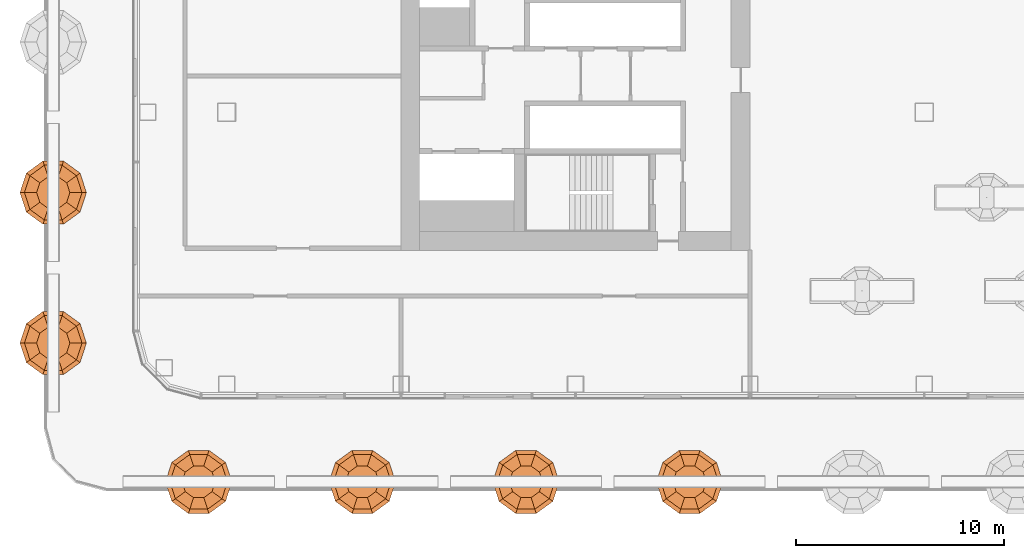
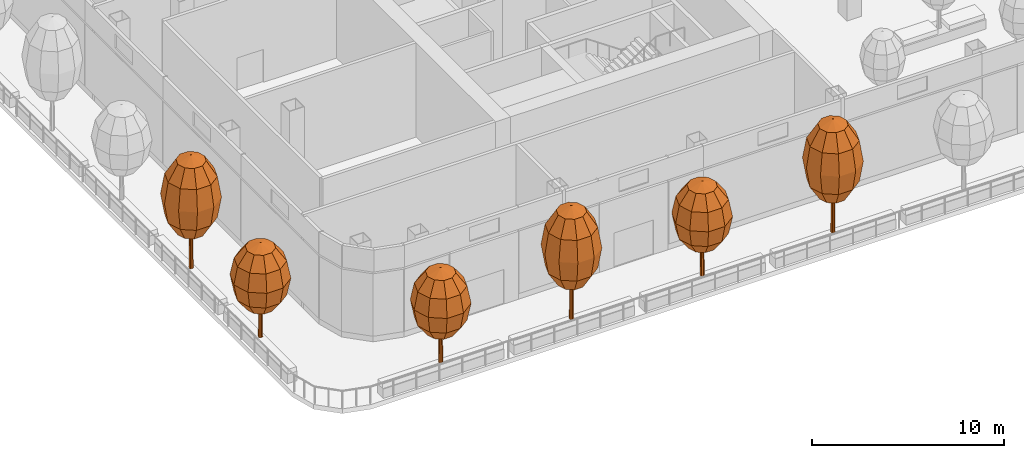
# One storey, part 38 of 44: 6 geographic elements.
"""IFC4 building model written with IfcOpenShell, lengths in metres."""

from ifc_helpers import new_model, si_unit, direction, frame, origin, place, context, subcontext, project, spatial, triangles, material, type_object, element, save


model = new_model("IFC4")

# Units and contexts
model_context = context("Model", 3, precision=1e-05, world=origin(), true_north=direction((0.0, 1.0)))
body_context = subcontext(model_context, "Body", "Model", "MODEL_VIEW")
ifc_project = project(units=[si_unit("LENGTHUNIT", "METRE"), si_unit("AREAUNIT", "SQUARE_METRE"), si_unit("VOLUMEUNIT", "CUBIC_METRE"), si_unit("PLANEANGLEUNIT", "RADIAN"), si_unit("MASSUNIT", "GRAM", prefix="KILO")], contexts=[model_context])

# Site, building, storey
site_placement = place(None, origin())
site = spatial("IfcSite", under=ifc_project, at=site_placement, CompositionType="ELEMENT")
building_placement = place(site_placement, origin())
building = spatial("IfcBuilding", under=site, at=building_placement, Name="Hakoniwa Tower and Hamabe Station Hall", CompositionType="ELEMENT")
storey_placement = place(building_placement, frame((0.0, 0.0, 69.0)))
storey = spatial("IfcBuildingStorey", under=building, at=storey_placement, Name="L19", CompositionType="ELEMENT", Elevation=69.0)

# Geographic elements
ifc_material_1 = material(Name="Tree foliage")
geographic_element_type_1 = type_object("IfcGeographicElementType", Name="Japanese maple 7.2 m", PredefinedType="USERDEFINED", material=ifc_material_1)
geographic_element_1_placement = place(storey_placement, frame((-50.35107421875, -5.61962890625, 0.89990234375)))
element("IfcGeographicElement", 1, at=geographic_element_1_placement, inside=storey, type_object=geographic_element_type_1, Name="Japanese maple 7-2 m", ObjectType="TREE", PredefinedType="USERDEFINED", context=body_context, shape_type="Tessellation", body=[
    triangles([(0.125, 0.0, 0.0), (0.08837890625, 0.08837890625, 0.0), (0.0, 0.125, 0.0), (-0.08837890625, 0.08837890625, 0.0), (-0.125, 0.0, 0.0), (-0.08837890625, -0.08837890625, 0.0), (0.0, -0.125, 0.0), (0.08837890625, -0.08837890625, 0.0), (0.074951171875, 0.0, 4.348876953125), (0.052978515625, 0.052978515625, 4.348876953125), (0.0, 0.074951171875, 4.348876953125), (-0.052978515625, 0.052978515625, 4.348876953125), (-0.074951171875, 0.0, 4.348876953125), (-0.052978515625, -0.052978515625, 4.348876953125), (0.0, -0.074951171875, 4.348876953125), (0.052978515625, -0.052978515625, 4.348876953125), (0.0, 0.0, 0.0), (0.0, 0.0, 4.348876953125)], [[1, 2, 10], [1, 10, 9], [17, 2, 1], [18, 9, 10], [2, 3, 11], [2, 11, 10], [17, 3, 2], [18, 10, 11], [3, 4, 12], [3, 12, 11], [17, 4, 3], [18, 11, 12], [4, 5, 13], [4, 13, 12], [17, 5, 4], [18, 12, 13], [5, 6, 14], [5, 14, 13], [17, 6, 5], [18, 13, 14], [6, 7, 15], [6, 15, 14], [17, 7, 6], [18, 14, 15], [7, 8, 16], [7, 16, 15], [17, 8, 7], [18, 15, 16], [8, 1, 9], [8, 9, 16], [17, 1, 8], [18, 16, 9]], closed=True),
    triangles([(0.0, 0.0, 2.015869140625), (0.800048828125, 0.0, 2.36328125), (0.647216796875, 0.47021484375, 2.36328125), (0.247314453125, 0.7607421875, 2.36328125), (-0.247314453125, 0.7607421875, 2.36328125), (-0.647216796875, 0.47021484375, 2.36328125), (-0.800048828125, 0.0, 2.36328125), (-0.647216796875, -0.47021484375, 2.36328125), (-0.247314453125, -0.7607421875, 2.36328125), (0.247314453125, -0.7607421875, 2.36328125), (0.647216796875, -0.47021484375, 2.36328125), (1.385498046875, 0.0, 3.31201171875), (1.12109375, 0.814453125, 3.31201171875), (0.42822265625, 1.31787109375, 3.31201171875), (-0.42822265625, 1.31787109375, 3.31201171875), (-1.12109375, 0.814453125, 3.31201171875), (-1.385498046875, 0.0, 3.31201171875), (-1.12109375, -0.814453125, 3.31201171875), (-0.42822265625, -1.31787109375, 3.31201171875), (0.42822265625, -1.31787109375, 3.31201171875), (1.12109375, -0.814453125, 3.31201171875), (1.60009765625, 0.0, 4.60791015625), (1.29443359375, 0.9404296875, 4.60791015625), (0.494384765625, 1.521728515625, 4.60791015625), (-0.494384765625, 1.521728515625, 4.60791015625), (-1.29443359375, 0.9404296875, 4.60791015625), (-1.60009765625, 0.0, 4.60791015625), (-1.29443359375, -0.9404296875, 4.60791015625), (-0.494384765625, -1.521728515625, 4.60791015625), (0.494384765625, -1.521728515625, 4.60791015625), (1.29443359375, -0.9404296875, 4.60791015625), (1.385498046875, 0.0, 5.904052734375), (1.12109375, 0.814453125, 5.904052734375), (0.42822265625, 1.31787109375, 5.904052734375), (-0.42822265625, 1.31787109375, 5.904052734375), (-1.12109375, 0.814453125, 5.904052734375), (-1.385498046875, 0.0, 5.904052734375), (-1.12109375, -0.814453125, 5.904052734375), (-0.42822265625, -1.31787109375, 5.904052734375), (0.42822265625, -1.31787109375, 5.904052734375), (1.12109375, -0.814453125, 5.904052734375), (0.800048828125, 0.0, 6.852783203125), (0.647216796875, 0.47021484375, 6.852783203125), (0.247314453125, 0.7607421875, 6.852783203125), (-0.247314453125, 0.7607421875, 6.852783203125), (-0.647216796875, 0.47021484375, 6.852783203125), (-0.800048828125, 0.0, 6.852783203125), (-0.647216796875, -0.47021484375, 6.852783203125), (-0.247314453125, -0.7607421875, 6.852783203125), (0.247314453125, -0.7607421875, 6.852783203125), (0.647216796875, -0.47021484375, 6.852783203125), (0.0, 0.0, 7.199951171875)], [[1, 3, 2], [1, 4, 3], [1, 5, 4], [1, 6, 5], [1, 7, 6], [1, 8, 7], [1, 9, 8], [1, 10, 9], [1, 11, 10], [1, 2, 11], [2, 3, 13], [2, 13, 12], [3, 4, 14], [3, 14, 13], [4, 5, 15], [4, 15, 14], [5, 6, 16], [5, 16, 15], [6, 7, 17], [6, 17, 16], [7, 8, 18], [7, 18, 17], [8, 9, 19], [8, 19, 18], [9, 10, 20], [9, 20, 19], [10, 11, 21], [10, 21, 20], [11, 2, 12], [11, 12, 21], [12, 13, 23], [12, 23, 22], [13, 14, 24], [13, 24, 23], [14, 15, 25], [14, 25, 24], [15, 16, 26], [15, 26, 25], [16, 17, 27], [16, 27, 26], [17, 18, 28], [17, 28, 27], [18, 19, 29], [18, 29, 28], [19, 20, 30], [19, 30, 29], [20, 21, 31], [20, 31, 30], [21, 12, 22], [21, 22, 31], [22, 23, 33], [22, 33, 32], [23, 24, 34], [23, 34, 33], [24, 25, 35], [24, 35, 34], [25, 26, 36], [25, 36, 35], [26, 27, 37], [26, 37, 36], [27, 28, 38], [27, 38, 37], [28, 29, 39], [28, 39, 38], [29, 30, 40], [29, 40, 39], [30, 31, 41], [30, 41, 40], [31, 22, 32], [31, 32, 41], [32, 33, 43], [32, 43, 42], [33, 34, 44], [33, 44, 43], [34, 35, 45], [34, 45, 44], [35, 36, 46], [35, 46, 45], [36, 37, 47], [36, 47, 46], [37, 38, 48], [37, 48, 47], [38, 39, 49], [38, 49, 48], [39, 40, 50], [39, 50, 49], [40, 41, 51], [40, 51, 50], [41, 32, 42], [41, 42, 51], [52, 42, 43], [52, 43, 44], [52, 44, 45], [52, 45, 46], [52, 46, 47], [52, 47, 48], [52, 48, 49], [52, 49, 50], [52, 50, 51], [52, 51, 42]], closed=True),
])
geographic_element_2_placement = place(storey_placement, frame((-35.465087890625, -19.551025390625, 0.89990234375)))
element("IfcGeographicElement", 2, at=geographic_element_2_placement, inside=storey, type_object=geographic_element_type_1, Name="Japanese maple 7-2 m", ObjectType="TREE", PredefinedType="USERDEFINED", context=body_context, shape_type="Tessellation", body=[
    triangles([(0.125, 0.0, 0.0), (0.08837890625, 0.08837890625, 0.0), (0.0, 0.125, 0.0), (-0.08837890625, 0.08837890625, 0.0), (-0.125, 0.0, 0.0), (-0.08837890625, -0.08837890625, 0.0), (0.0, -0.125, 0.0), (0.08837890625, -0.08837890625, 0.0), (0.074951171875, 0.0, 4.348876953125), (0.052978515625, 0.052978515625, 4.348876953125), (0.0, 0.074951171875, 4.348876953125), (-0.052978515625, 0.052978515625, 4.348876953125), (-0.074951171875, 0.0, 4.348876953125), (-0.052978515625, -0.052978515625, 4.348876953125), (0.0, -0.074951171875, 4.348876953125), (0.052978515625, -0.052978515625, 4.348876953125), (0.0, 0.0, 0.0), (0.0, 0.0, 4.348876953125)], [[1, 2, 10], [1, 10, 9], [17, 2, 1], [18, 9, 10], [2, 3, 11], [2, 11, 10], [17, 3, 2], [18, 10, 11], [3, 4, 12], [3, 12, 11], [17, 4, 3], [18, 11, 12], [4, 5, 13], [4, 13, 12], [17, 5, 4], [18, 12, 13], [5, 6, 14], [5, 14, 13], [17, 6, 5], [18, 13, 14], [6, 7, 15], [6, 15, 14], [17, 7, 6], [18, 14, 15], [7, 8, 16], [7, 16, 15], [17, 8, 7], [18, 15, 16], [8, 1, 9], [8, 9, 16], [17, 1, 8], [18, 16, 9]], closed=True),
    triangles([(0.0, 0.0, 2.015869140625), (0.800048828125, 0.0, 2.36328125), (0.647216796875, 0.47021484375, 2.36328125), (0.247314453125, 0.7607421875, 2.36328125), (-0.247314453125, 0.7607421875, 2.36328125), (-0.647216796875, 0.47021484375, 2.36328125), (-0.800048828125, 0.0, 2.36328125), (-0.647216796875, -0.47021484375, 2.36328125), (-0.247314453125, -0.7607421875, 2.36328125), (0.247314453125, -0.7607421875, 2.36328125), (0.647216796875, -0.47021484375, 2.36328125), (1.385498046875, 0.0, 3.31201171875), (1.12109375, 0.814453125, 3.31201171875), (0.42822265625, 1.31787109375, 3.31201171875), (-0.42822265625, 1.31787109375, 3.31201171875), (-1.12109375, 0.814453125, 3.31201171875), (-1.385498046875, 0.0, 3.31201171875), (-1.12109375, -0.814453125, 3.31201171875), (-0.42822265625, -1.31787109375, 3.31201171875), (0.42822265625, -1.31787109375, 3.31201171875), (1.12109375, -0.814453125, 3.31201171875), (1.60009765625, 0.0, 4.60791015625), (1.29443359375, 0.9404296875, 4.60791015625), (0.494384765625, 1.521728515625, 4.60791015625), (-0.494384765625, 1.521728515625, 4.60791015625), (-1.29443359375, 0.9404296875, 4.60791015625), (-1.60009765625, 0.0, 4.60791015625), (-1.29443359375, -0.9404296875, 4.60791015625), (-0.494384765625, -1.521728515625, 4.60791015625), (0.494384765625, -1.521728515625, 4.60791015625), (1.29443359375, -0.9404296875, 4.60791015625), (1.385498046875, 0.0, 5.904052734375), (1.12109375, 0.814453125, 5.904052734375), (0.42822265625, 1.31787109375, 5.904052734375), (-0.42822265625, 1.31787109375, 5.904052734375), (-1.12109375, 0.814453125, 5.904052734375), (-1.385498046875, 0.0, 5.904052734375), (-1.12109375, -0.814453125, 5.904052734375), (-0.42822265625, -1.31787109375, 5.904052734375), (0.42822265625, -1.31787109375, 5.904052734375), (1.12109375, -0.814453125, 5.904052734375), (0.800048828125, 0.0, 6.852783203125), (0.647216796875, 0.47021484375, 6.852783203125), (0.247314453125, 0.7607421875, 6.852783203125), (-0.247314453125, 0.7607421875, 6.852783203125), (-0.647216796875, 0.47021484375, 6.852783203125), (-0.800048828125, 0.0, 6.852783203125), (-0.647216796875, -0.47021484375, 6.852783203125), (-0.247314453125, -0.7607421875, 6.852783203125), (0.247314453125, -0.7607421875, 6.852783203125), (0.647216796875, -0.47021484375, 6.852783203125), (0.0, 0.0, 7.199951171875)], [[1, 3, 2], [1, 4, 3], [1, 5, 4], [1, 6, 5], [1, 7, 6], [1, 8, 7], [1, 9, 8], [1, 10, 9], [1, 11, 10], [1, 2, 11], [2, 3, 13], [2, 13, 12], [3, 4, 14], [3, 14, 13], [4, 5, 15], [4, 15, 14], [5, 6, 16], [5, 16, 15], [6, 7, 17], [6, 17, 16], [7, 8, 18], [7, 18, 17], [8, 9, 19], [8, 19, 18], [9, 10, 20], [9, 20, 19], [10, 11, 21], [10, 21, 20], [11, 2, 12], [11, 12, 21], [12, 13, 23], [12, 23, 22], [13, 14, 24], [13, 24, 23], [14, 15, 25], [14, 25, 24], [15, 16, 26], [15, 26, 25], [16, 17, 27], [16, 27, 26], [17, 18, 28], [17, 28, 27], [18, 19, 29], [18, 29, 28], [19, 20, 30], [19, 30, 29], [20, 21, 31], [20, 31, 30], [21, 12, 22], [21, 22, 31], [22, 23, 33], [22, 33, 32], [23, 24, 34], [23, 34, 33], [24, 25, 35], [24, 35, 34], [25, 26, 36], [25, 36, 35], [26, 27, 37], [26, 37, 36], [27, 28, 38], [27, 38, 37], [28, 29, 39], [28, 39, 38], [29, 30, 40], [29, 40, 39], [30, 31, 41], [30, 41, 40], [31, 22, 32], [31, 32, 41], [32, 33, 43], [32, 43, 42], [33, 34, 44], [33, 44, 43], [34, 35, 45], [34, 45, 44], [35, 36, 46], [35, 46, 45], [36, 37, 47], [36, 47, 46], [37, 38, 48], [37, 48, 47], [38, 39, 49], [38, 49, 48], [39, 40, 50], [39, 50, 49], [40, 41, 51], [40, 51, 50], [41, 32, 42], [41, 42, 51], [52, 42, 43], [52, 43, 44], [52, 44, 45], [52, 45, 46], [52, 46, 47], [52, 47, 48], [52, 48, 49], [52, 49, 50], [52, 50, 51], [52, 51, 42]], closed=True),
])
geographic_element_3_placement = place(storey_placement, frame((-19.702880859375, -19.551025390625, 0.89990234375)))
element("IfcGeographicElement", 3, at=geographic_element_3_placement, inside=storey, type_object=geographic_element_type_1, Name="Japanese maple 7-2 m", ObjectType="TREE", PredefinedType="USERDEFINED", context=body_context, shape_type="Tessellation", body=[
    triangles([(0.125, 0.0, 0.0), (0.08837890625, 0.08837890625, 0.0), (0.0, 0.125, 0.0), (-0.08837890625, 0.08837890625, 0.0), (-0.125, 0.0, 0.0), (-0.08837890625, -0.08837890625, 0.0), (0.0, -0.125, 0.0), (0.08837890625, -0.08837890625, 0.0), (0.074951171875, 0.0, 4.348876953125), (0.052978515625, 0.052978515625, 4.348876953125), (0.0, 0.074951171875, 4.348876953125), (-0.052978515625, 0.052978515625, 4.348876953125), (-0.074951171875, 0.0, 4.348876953125), (-0.052978515625, -0.052978515625, 4.348876953125), (0.0, -0.074951171875, 4.348876953125), (0.052978515625, -0.052978515625, 4.348876953125), (0.0, 0.0, 0.0), (0.0, 0.0, 4.348876953125)], [[1, 2, 10], [1, 10, 9], [17, 2, 1], [18, 9, 10], [2, 3, 11], [2, 11, 10], [17, 3, 2], [18, 10, 11], [3, 4, 12], [3, 12, 11], [17, 4, 3], [18, 11, 12], [4, 5, 13], [4, 13, 12], [17, 5, 4], [18, 12, 13], [5, 6, 14], [5, 14, 13], [17, 6, 5], [18, 13, 14], [6, 7, 15], [6, 15, 14], [17, 7, 6], [18, 14, 15], [7, 8, 16], [7, 16, 15], [17, 8, 7], [18, 15, 16], [8, 1, 9], [8, 9, 16], [17, 1, 8], [18, 16, 9]], closed=True),
    triangles([(0.0, 0.0, 2.015869140625), (0.800048828125, 0.0, 2.36328125), (0.647216796875, 0.47021484375, 2.36328125), (0.247314453125, 0.7607421875, 2.36328125), (-0.247314453125, 0.7607421875, 2.36328125), (-0.647216796875, 0.47021484375, 2.36328125), (-0.800048828125, 0.0, 2.36328125), (-0.647216796875, -0.47021484375, 2.36328125), (-0.247314453125, -0.7607421875, 2.36328125), (0.247314453125, -0.7607421875, 2.36328125), (0.647216796875, -0.47021484375, 2.36328125), (1.385498046875, 0.0, 3.31201171875), (1.12109375, 0.814453125, 3.31201171875), (0.42822265625, 1.31787109375, 3.31201171875), (-0.42822265625, 1.31787109375, 3.31201171875), (-1.12109375, 0.814453125, 3.31201171875), (-1.385498046875, 0.0, 3.31201171875), (-1.12109375, -0.814453125, 3.31201171875), (-0.42822265625, -1.31787109375, 3.31201171875), (0.42822265625, -1.31787109375, 3.31201171875), (1.12109375, -0.814453125, 3.31201171875), (1.60009765625, 0.0, 4.60791015625), (1.29443359375, 0.9404296875, 4.60791015625), (0.494384765625, 1.521728515625, 4.60791015625), (-0.494384765625, 1.521728515625, 4.60791015625), (-1.29443359375, 0.9404296875, 4.60791015625), (-1.60009765625, 0.0, 4.60791015625), (-1.29443359375, -0.9404296875, 4.60791015625), (-0.494384765625, -1.521728515625, 4.60791015625), (0.494384765625, -1.521728515625, 4.60791015625), (1.29443359375, -0.9404296875, 4.60791015625), (1.385498046875, 0.0, 5.904052734375), (1.12109375, 0.814453125, 5.904052734375), (0.42822265625, 1.31787109375, 5.904052734375), (-0.42822265625, 1.31787109375, 5.904052734375), (-1.12109375, 0.814453125, 5.904052734375), (-1.385498046875, 0.0, 5.904052734375), (-1.12109375, -0.814453125, 5.904052734375), (-0.42822265625, -1.31787109375, 5.904052734375), (0.42822265625, -1.31787109375, 5.904052734375), (1.12109375, -0.814453125, 5.904052734375), (0.800048828125, 0.0, 6.852783203125), (0.647216796875, 0.47021484375, 6.852783203125), (0.247314453125, 0.7607421875, 6.852783203125), (-0.247314453125, 0.7607421875, 6.852783203125), (-0.647216796875, 0.47021484375, 6.852783203125), (-0.800048828125, 0.0, 6.852783203125), (-0.647216796875, -0.47021484375, 6.852783203125), (-0.247314453125, -0.7607421875, 6.852783203125), (0.247314453125, -0.7607421875, 6.852783203125), (0.647216796875, -0.47021484375, 6.852783203125), (0.0, 0.0, 7.199951171875)], [[1, 3, 2], [1, 4, 3], [1, 5, 4], [1, 6, 5], [1, 7, 6], [1, 8, 7], [1, 9, 8], [1, 10, 9], [1, 11, 10], [1, 2, 11], [2, 3, 13], [2, 13, 12], [3, 4, 14], [3, 14, 13], [4, 5, 15], [4, 15, 14], [5, 6, 16], [5, 16, 15], [6, 7, 17], [6, 17, 16], [7, 8, 18], [7, 18, 17], [8, 9, 19], [8, 19, 18], [9, 10, 20], [9, 20, 19], [10, 11, 21], [10, 21, 20], [11, 2, 12], [11, 12, 21], [12, 13, 23], [12, 23, 22], [13, 14, 24], [13, 24, 23], [14, 15, 25], [14, 25, 24], [15, 16, 26], [15, 26, 25], [16, 17, 27], [16, 27, 26], [17, 18, 28], [17, 28, 27], [18, 19, 29], [18, 29, 28], [19, 20, 30], [19, 30, 29], [20, 21, 31], [20, 31, 30], [21, 12, 22], [21, 22, 31], [22, 23, 33], [22, 33, 32], [23, 24, 34], [23, 34, 33], [24, 25, 35], [24, 35, 34], [25, 26, 36], [25, 36, 35], [26, 27, 37], [26, 37, 36], [27, 28, 38], [27, 38, 37], [28, 29, 39], [28, 39, 38], [29, 30, 40], [29, 40, 39], [30, 31, 41], [30, 41, 40], [31, 22, 32], [31, 32, 41], [32, 33, 43], [32, 43, 42], [33, 34, 44], [33, 44, 43], [34, 35, 45], [34, 45, 44], [35, 36, 46], [35, 46, 45], [36, 37, 47], [36, 47, 46], [37, 38, 48], [37, 48, 47], [38, 39, 49], [38, 49, 48], [39, 40, 50], [39, 50, 49], [40, 41, 51], [40, 51, 50], [41, 32, 42], [41, 42, 51], [52, 42, 43], [52, 43, 44], [52, 44, 45], [52, 45, 46], [52, 46, 47], [52, 47, 48], [52, 48, 49], [52, 49, 50], [52, 50, 51], [52, 51, 42]], closed=True),
])
ifc_material_2 = material(Name="Tree foliage")
geographic_element_type_2 = type_object("IfcGeographicElementType", Name="Osmanthus 6.0 m", PredefinedType="USERDEFINED", material=ifc_material_2)
geographic_element_4_placement = place(storey_placement, frame((-50.35107421875, -12.864501953125, 0.89990234375)))
element("IfcGeographicElement", 4, at=geographic_element_4_placement, inside=storey, type_object=geographic_element_type_2, Name="Osmanthus 6-0 m", ObjectType="TREE", PredefinedType="USERDEFINED", context=body_context, shape_type="Tessellation", body=[
    triangles([(0.125, 0.0, 0.0), (0.08837890625, 0.08837890625, 0.0), (0.0, 0.125, 0.0), (-0.08837890625, 0.08837890625, 0.0), (-0.125, 0.0, 0.0), (-0.08837890625, -0.08837890625, 0.0), (0.0, -0.125, 0.0), (0.08837890625, -0.08837890625, 0.0), (0.074951171875, 0.0, 3.6240234375), (0.052978515625, 0.052978515625, 3.6240234375), (0.0, 0.074951171875, 3.6240234375), (-0.052978515625, 0.052978515625, 3.6240234375), (-0.074951171875, 0.0, 3.6240234375), (-0.052978515625, -0.052978515625, 3.6240234375), (0.0, -0.074951171875, 3.6240234375), (0.052978515625, -0.052978515625, 3.6240234375), (0.0, 0.0, 0.0), (0.0, 0.0, 3.6240234375)], [[1, 2, 10], [1, 10, 9], [17, 2, 1], [18, 9, 10], [2, 3, 11], [2, 11, 10], [17, 3, 2], [18, 10, 11], [3, 4, 12], [3, 12, 11], [17, 4, 3], [18, 11, 12], [4, 5, 13], [4, 13, 12], [17, 5, 4], [18, 12, 13], [5, 6, 14], [5, 14, 13], [17, 6, 5], [18, 13, 14], [6, 7, 15], [6, 15, 14], [17, 7, 6], [18, 14, 15], [7, 8, 16], [7, 16, 15], [17, 8, 7], [18, 15, 16], [8, 1, 9], [8, 9, 16], [17, 1, 8], [18, 16, 9]], closed=True),
    triangles([(0.0, 0.0, 1.679931640625), (0.800048828125, 0.0, 1.969482421875), (0.647216796875, 0.47021484375, 1.969482421875), (0.247314453125, 0.7607421875, 1.969482421875), (-0.247314453125, 0.7607421875, 1.969482421875), (-0.647216796875, 0.47021484375, 1.969482421875), (-0.800048828125, 0.0, 1.969482421875), (-0.647216796875, -0.47021484375, 1.969482421875), (-0.247314453125, -0.7607421875, 1.969482421875), (0.247314453125, -0.7607421875, 1.969482421875), (0.647216796875, -0.47021484375, 1.969482421875), (1.385498046875, 0.0, 2.760009765625), (1.12109375, 0.814453125, 2.760009765625), (0.42822265625, 1.31787109375, 2.760009765625), (-0.42822265625, 1.31787109375, 2.760009765625), (-1.12109375, 0.814453125, 2.760009765625), (-1.385498046875, 0.0, 2.760009765625), (-1.12109375, -0.814453125, 2.760009765625), (-0.42822265625, -1.31787109375, 2.760009765625), (0.42822265625, -1.31787109375, 2.760009765625), (1.12109375, -0.814453125, 2.760009765625), (1.60009765625, 0.0, 3.840087890625), (1.29443359375, 0.9404296875, 3.840087890625), (0.494384765625, 1.521728515625, 3.840087890625), (-0.494384765625, 1.521728515625, 3.840087890625), (-1.29443359375, 0.9404296875, 3.840087890625), (-1.60009765625, 0.0, 3.840087890625), (-1.29443359375, -0.9404296875, 3.840087890625), (-0.494384765625, -1.521728515625, 3.840087890625), (0.494384765625, -1.521728515625, 3.840087890625), (1.29443359375, -0.9404296875, 3.840087890625), (1.385498046875, 0.0, 4.919921875), (1.12109375, 0.814453125, 4.919921875), (0.42822265625, 1.31787109375, 4.919921875), (-0.42822265625, 1.31787109375, 4.919921875), (-1.12109375, 0.814453125, 4.919921875), (-1.385498046875, 0.0, 4.919921875), (-1.12109375, -0.814453125, 4.919921875), (-0.42822265625, -1.31787109375, 4.919921875), (0.42822265625, -1.31787109375, 4.919921875), (1.12109375, -0.814453125, 4.919921875), (0.800048828125, 0.0, 5.710693359375), (0.647216796875, 0.47021484375, 5.710693359375), (0.247314453125, 0.7607421875, 5.710693359375), (-0.247314453125, 0.7607421875, 5.710693359375), (-0.647216796875, 0.47021484375, 5.710693359375), (-0.800048828125, 0.0, 5.710693359375), (-0.647216796875, -0.47021484375, 5.710693359375), (-0.247314453125, -0.7607421875, 5.710693359375), (0.247314453125, -0.7607421875, 5.710693359375), (0.647216796875, -0.47021484375, 5.710693359375), (0.0, 0.0, 6.0)], [[1, 3, 2], [1, 4, 3], [1, 5, 4], [1, 6, 5], [1, 7, 6], [1, 8, 7], [1, 9, 8], [1, 10, 9], [1, 11, 10], [1, 2, 11], [2, 3, 13], [2, 13, 12], [3, 4, 14], [3, 14, 13], [4, 5, 15], [4, 15, 14], [5, 6, 16], [5, 16, 15], [6, 7, 17], [6, 17, 16], [7, 8, 18], [7, 18, 17], [8, 9, 19], [8, 19, 18], [9, 10, 20], [9, 20, 19], [10, 11, 21], [10, 21, 20], [11, 2, 12], [11, 12, 21], [12, 13, 23], [12, 23, 22], [13, 14, 24], [13, 24, 23], [14, 15, 25], [14, 25, 24], [15, 16, 26], [15, 26, 25], [16, 17, 27], [16, 27, 26], [17, 18, 28], [17, 28, 27], [18, 19, 29], [18, 29, 28], [19, 20, 30], [19, 30, 29], [20, 21, 31], [20, 31, 30], [21, 12, 22], [21, 22, 31], [22, 23, 33], [22, 33, 32], [23, 24, 34], [23, 34, 33], [24, 25, 35], [24, 35, 34], [25, 26, 36], [25, 36, 35], [26, 27, 37], [26, 37, 36], [27, 28, 38], [27, 38, 37], [28, 29, 39], [28, 39, 38], [29, 30, 40], [29, 40, 39], [30, 31, 41], [30, 41, 40], [31, 22, 32], [31, 32, 41], [32, 33, 43], [32, 43, 42], [33, 34, 44], [33, 44, 43], [34, 35, 45], [34, 45, 44], [35, 36, 46], [35, 46, 45], [36, 37, 47], [36, 47, 46], [37, 38, 48], [37, 48, 47], [38, 39, 49], [38, 49, 48], [39, 40, 50], [39, 50, 49], [40, 41, 51], [40, 51, 50], [41, 32, 42], [41, 42, 51], [52, 42, 43], [52, 43, 44], [52, 44, 45], [52, 45, 46], [52, 46, 47], [52, 47, 48], [52, 48, 49], [52, 49, 50], [52, 50, 51], [52, 51, 42]], closed=True),
])
geographic_element_5_placement = place(storey_placement, frame((-43.34619140625, -19.551025390625, 0.89990234375)))
element("IfcGeographicElement", 5, at=geographic_element_5_placement, inside=storey, type_object=geographic_element_type_2, Name="Osmanthus 6-0 m", ObjectType="TREE", PredefinedType="USERDEFINED", context=body_context, shape_type="Tessellation", body=[
    triangles([(0.125, 0.0, 0.0), (0.08837890625, 0.08837890625, 0.0), (0.0, 0.125, 0.0), (-0.08837890625, 0.08837890625, 0.0), (-0.125, 0.0, 0.0), (-0.08837890625, -0.08837890625, 0.0), (0.0, -0.125, 0.0), (0.08837890625, -0.08837890625, 0.0), (0.074951171875, 0.0, 3.6240234375), (0.052978515625, 0.052978515625, 3.6240234375), (0.0, 0.074951171875, 3.6240234375), (-0.052978515625, 0.052978515625, 3.6240234375), (-0.074951171875, 0.0, 3.6240234375), (-0.052978515625, -0.052978515625, 3.6240234375), (0.0, -0.074951171875, 3.6240234375), (0.052978515625, -0.052978515625, 3.6240234375), (0.0, 0.0, 0.0), (0.0, 0.0, 3.6240234375)], [[1, 2, 10], [1, 10, 9], [17, 2, 1], [18, 9, 10], [2, 3, 11], [2, 11, 10], [17, 3, 2], [18, 10, 11], [3, 4, 12], [3, 12, 11], [17, 4, 3], [18, 11, 12], [4, 5, 13], [4, 13, 12], [17, 5, 4], [18, 12, 13], [5, 6, 14], [5, 14, 13], [17, 6, 5], [18, 13, 14], [6, 7, 15], [6, 15, 14], [17, 7, 6], [18, 14, 15], [7, 8, 16], [7, 16, 15], [17, 8, 7], [18, 15, 16], [8, 1, 9], [8, 9, 16], [17, 1, 8], [18, 16, 9]], closed=True),
    triangles([(0.0, 0.0, 1.679931640625), (0.800048828125, 0.0, 1.969482421875), (0.647216796875, 0.47021484375, 1.969482421875), (0.247314453125, 0.7607421875, 1.969482421875), (-0.247314453125, 0.7607421875, 1.969482421875), (-0.647216796875, 0.47021484375, 1.969482421875), (-0.800048828125, 0.0, 1.969482421875), (-0.647216796875, -0.47021484375, 1.969482421875), (-0.247314453125, -0.7607421875, 1.969482421875), (0.247314453125, -0.7607421875, 1.969482421875), (0.647216796875, -0.47021484375, 1.969482421875), (1.385498046875, 0.0, 2.760009765625), (1.12109375, 0.814453125, 2.760009765625), (0.42822265625, 1.31787109375, 2.760009765625), (-0.42822265625, 1.31787109375, 2.760009765625), (-1.12109375, 0.814453125, 2.760009765625), (-1.385498046875, 0.0, 2.760009765625), (-1.12109375, -0.814453125, 2.760009765625), (-0.42822265625, -1.31787109375, 2.760009765625), (0.42822265625, -1.31787109375, 2.760009765625), (1.12109375, -0.814453125, 2.760009765625), (1.60009765625, 0.0, 3.840087890625), (1.29443359375, 0.9404296875, 3.840087890625), (0.494384765625, 1.521728515625, 3.840087890625), (-0.494384765625, 1.521728515625, 3.840087890625), (-1.29443359375, 0.9404296875, 3.840087890625), (-1.60009765625, 0.0, 3.840087890625), (-1.29443359375, -0.9404296875, 3.840087890625), (-0.494384765625, -1.521728515625, 3.840087890625), (0.494384765625, -1.521728515625, 3.840087890625), (1.29443359375, -0.9404296875, 3.840087890625), (1.385498046875, 0.0, 4.919921875), (1.12109375, 0.814453125, 4.919921875), (0.42822265625, 1.31787109375, 4.919921875), (-0.42822265625, 1.31787109375, 4.919921875), (-1.12109375, 0.814453125, 4.919921875), (-1.385498046875, 0.0, 4.919921875), (-1.12109375, -0.814453125, 4.919921875), (-0.42822265625, -1.31787109375, 4.919921875), (0.42822265625, -1.31787109375, 4.919921875), (1.12109375, -0.814453125, 4.919921875), (0.800048828125, 0.0, 5.710693359375), (0.647216796875, 0.47021484375, 5.710693359375), (0.247314453125, 0.7607421875, 5.710693359375), (-0.247314453125, 0.7607421875, 5.710693359375), (-0.647216796875, 0.47021484375, 5.710693359375), (-0.800048828125, 0.0, 5.710693359375), (-0.647216796875, -0.47021484375, 5.710693359375), (-0.247314453125, -0.7607421875, 5.710693359375), (0.247314453125, -0.7607421875, 5.710693359375), (0.647216796875, -0.47021484375, 5.710693359375), (0.0, 0.0, 6.0)], [[1, 3, 2], [1, 4, 3], [1, 5, 4], [1, 6, 5], [1, 7, 6], [1, 8, 7], [1, 9, 8], [1, 10, 9], [1, 11, 10], [1, 2, 11], [2, 3, 13], [2, 13, 12], [3, 4, 14], [3, 14, 13], [4, 5, 15], [4, 15, 14], [5, 6, 16], [5, 16, 15], [6, 7, 17], [6, 17, 16], [7, 8, 18], [7, 18, 17], [8, 9, 19], [8, 19, 18], [9, 10, 20], [9, 20, 19], [10, 11, 21], [10, 21, 20], [11, 2, 12], [11, 12, 21], [12, 13, 23], [12, 23, 22], [13, 14, 24], [13, 24, 23], [14, 15, 25], [14, 25, 24], [15, 16, 26], [15, 26, 25], [16, 17, 27], [16, 27, 26], [17, 18, 28], [17, 28, 27], [18, 19, 29], [18, 29, 28], [19, 20, 30], [19, 30, 29], [20, 21, 31], [20, 31, 30], [21, 12, 22], [21, 22, 31], [22, 23, 33], [22, 33, 32], [23, 24, 34], [23, 34, 33], [24, 25, 35], [24, 35, 34], [25, 26, 36], [25, 36, 35], [26, 27, 37], [26, 37, 36], [27, 28, 38], [27, 38, 37], [28, 29, 39], [28, 39, 38], [29, 30, 40], [29, 40, 39], [30, 31, 41], [30, 41, 40], [31, 22, 32], [31, 32, 41], [32, 33, 43], [32, 43, 42], [33, 34, 44], [33, 44, 43], [34, 35, 45], [34, 45, 44], [35, 36, 46], [35, 46, 45], [36, 37, 47], [36, 47, 46], [37, 38, 48], [37, 48, 47], [38, 39, 49], [38, 49, 48], [39, 40, 50], [39, 50, 49], [40, 41, 51], [40, 51, 50], [41, 32, 42], [41, 42, 51], [52, 42, 43], [52, 43, 44], [52, 44, 45], [52, 45, 46], [52, 46, 47], [52, 47, 48], [52, 48, 49], [52, 49, 50], [52, 50, 51], [52, 51, 42]], closed=True),
])
geographic_element_6_placement = place(storey_placement, frame((-27.583984375, -19.551025390625, 0.89990234375)))
element("IfcGeographicElement", 6, at=geographic_element_6_placement, inside=storey, type_object=geographic_element_type_2, Name="Osmanthus 6-0 m", ObjectType="TREE", PredefinedType="USERDEFINED", context=body_context, shape_type="Tessellation", body=[
    triangles([(0.125, 0.0, 0.0), (0.08837890625, 0.08837890625, 0.0), (0.0, 0.125, 0.0), (-0.08837890625, 0.08837890625, 0.0), (-0.125, 0.0, 0.0), (-0.08837890625, -0.08837890625, 0.0), (0.0, -0.125, 0.0), (0.08837890625, -0.08837890625, 0.0), (0.074951171875, 0.0, 3.6240234375), (0.052978515625, 0.052978515625, 3.6240234375), (0.0, 0.074951171875, 3.6240234375), (-0.052978515625, 0.052978515625, 3.6240234375), (-0.074951171875, 0.0, 3.6240234375), (-0.052978515625, -0.052978515625, 3.6240234375), (0.0, -0.074951171875, 3.6240234375), (0.052978515625, -0.052978515625, 3.6240234375), (0.0, 0.0, 0.0), (0.0, 0.0, 3.6240234375)], [[1, 2, 10], [1, 10, 9], [17, 2, 1], [18, 9, 10], [2, 3, 11], [2, 11, 10], [17, 3, 2], [18, 10, 11], [3, 4, 12], [3, 12, 11], [17, 4, 3], [18, 11, 12], [4, 5, 13], [4, 13, 12], [17, 5, 4], [18, 12, 13], [5, 6, 14], [5, 14, 13], [17, 6, 5], [18, 13, 14], [6, 7, 15], [6, 15, 14], [17, 7, 6], [18, 14, 15], [7, 8, 16], [7, 16, 15], [17, 8, 7], [18, 15, 16], [8, 1, 9], [8, 9, 16], [17, 1, 8], [18, 16, 9]], closed=True),
    triangles([(0.0, 0.0, 1.679931640625), (0.800048828125, 0.0, 1.969482421875), (0.647216796875, 0.47021484375, 1.969482421875), (0.247314453125, 0.7607421875, 1.969482421875), (-0.247314453125, 0.7607421875, 1.969482421875), (-0.647216796875, 0.47021484375, 1.969482421875), (-0.800048828125, 0.0, 1.969482421875), (-0.647216796875, -0.47021484375, 1.969482421875), (-0.247314453125, -0.7607421875, 1.969482421875), (0.247314453125, -0.7607421875, 1.969482421875), (0.647216796875, -0.47021484375, 1.969482421875), (1.385498046875, 0.0, 2.760009765625), (1.12109375, 0.814453125, 2.760009765625), (0.42822265625, 1.31787109375, 2.760009765625), (-0.42822265625, 1.31787109375, 2.760009765625), (-1.12109375, 0.814453125, 2.760009765625), (-1.385498046875, 0.0, 2.760009765625), (-1.12109375, -0.814453125, 2.760009765625), (-0.42822265625, -1.31787109375, 2.760009765625), (0.42822265625, -1.31787109375, 2.760009765625), (1.12109375, -0.814453125, 2.760009765625), (1.60009765625, 0.0, 3.840087890625), (1.29443359375, 0.9404296875, 3.840087890625), (0.494384765625, 1.521728515625, 3.840087890625), (-0.494384765625, 1.521728515625, 3.840087890625), (-1.29443359375, 0.9404296875, 3.840087890625), (-1.60009765625, 0.0, 3.840087890625), (-1.29443359375, -0.9404296875, 3.840087890625), (-0.494384765625, -1.521728515625, 3.840087890625), (0.494384765625, -1.521728515625, 3.840087890625), (1.29443359375, -0.9404296875, 3.840087890625), (1.385498046875, 0.0, 4.919921875), (1.12109375, 0.814453125, 4.919921875), (0.42822265625, 1.31787109375, 4.919921875), (-0.42822265625, 1.31787109375, 4.919921875), (-1.12109375, 0.814453125, 4.919921875), (-1.385498046875, 0.0, 4.919921875), (-1.12109375, -0.814453125, 4.919921875), (-0.42822265625, -1.31787109375, 4.919921875), (0.42822265625, -1.31787109375, 4.919921875), (1.12109375, -0.814453125, 4.919921875), (0.800048828125, 0.0, 5.710693359375), (0.647216796875, 0.47021484375, 5.710693359375), (0.247314453125, 0.7607421875, 5.710693359375), (-0.247314453125, 0.7607421875, 5.710693359375), (-0.647216796875, 0.47021484375, 5.710693359375), (-0.800048828125, 0.0, 5.710693359375), (-0.647216796875, -0.47021484375, 5.710693359375), (-0.247314453125, -0.7607421875, 5.710693359375), (0.247314453125, -0.7607421875, 5.710693359375), (0.647216796875, -0.47021484375, 5.710693359375), (0.0, 0.0, 6.0)], [[1, 3, 2], [1, 4, 3], [1, 5, 4], [1, 6, 5], [1, 7, 6], [1, 8, 7], [1, 9, 8], [1, 10, 9], [1, 11, 10], [1, 2, 11], [2, 3, 13], [2, 13, 12], [3, 4, 14], [3, 14, 13], [4, 5, 15], [4, 15, 14], [5, 6, 16], [5, 16, 15], [6, 7, 17], [6, 17, 16], [7, 8, 18], [7, 18, 17], [8, 9, 19], [8, 19, 18], [9, 10, 20], [9, 20, 19], [10, 11, 21], [10, 21, 20], [11, 2, 12], [11, 12, 21], [12, 13, 23], [12, 23, 22], [13, 14, 24], [13, 24, 23], [14, 15, 25], [14, 25, 24], [15, 16, 26], [15, 26, 25], [16, 17, 27], [16, 27, 26], [17, 18, 28], [17, 28, 27], [18, 19, 29], [18, 29, 28], [19, 20, 30], [19, 30, 29], [20, 21, 31], [20, 31, 30], [21, 12, 22], [21, 22, 31], [22, 23, 33], [22, 33, 32], [23, 24, 34], [23, 34, 33], [24, 25, 35], [24, 35, 34], [25, 26, 36], [25, 36, 35], [26, 27, 37], [26, 37, 36], [27, 28, 38], [27, 38, 37], [28, 29, 39], [28, 39, 38], [29, 30, 40], [29, 40, 39], [30, 31, 41], [30, 41, 40], [31, 22, 32], [31, 32, 41], [32, 33, 43], [32, 43, 42], [33, 34, 44], [33, 44, 43], [34, 35, 45], [34, 45, 44], [35, 36, 46], [35, 46, 45], [36, 37, 47], [36, 47, 46], [37, 38, 48], [37, 48, 47], [38, 39, 49], [38, 49, 48], [39, 40, 50], [39, 50, 49], [40, 41, 51], [40, 51, 50], [41, 32, 42], [41, 42, 51], [52, 42, 43], [52, 43, 44], [52, 44, 45], [52, 45, 46], [52, 46, 47], [52, 47, 48], [52, 48, 49], [52, 49, 50], [52, 50, 51], [52, 51, 42]], closed=True),
])

save(model, "model.ifc")
